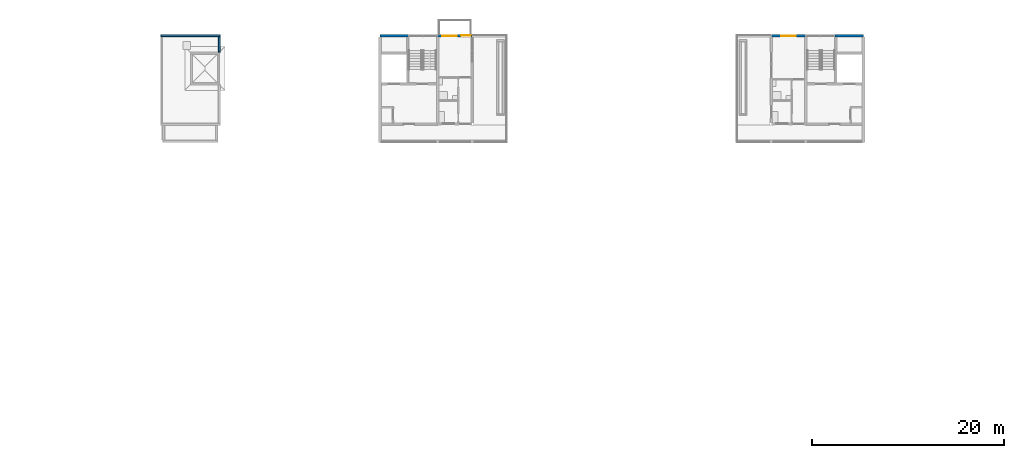
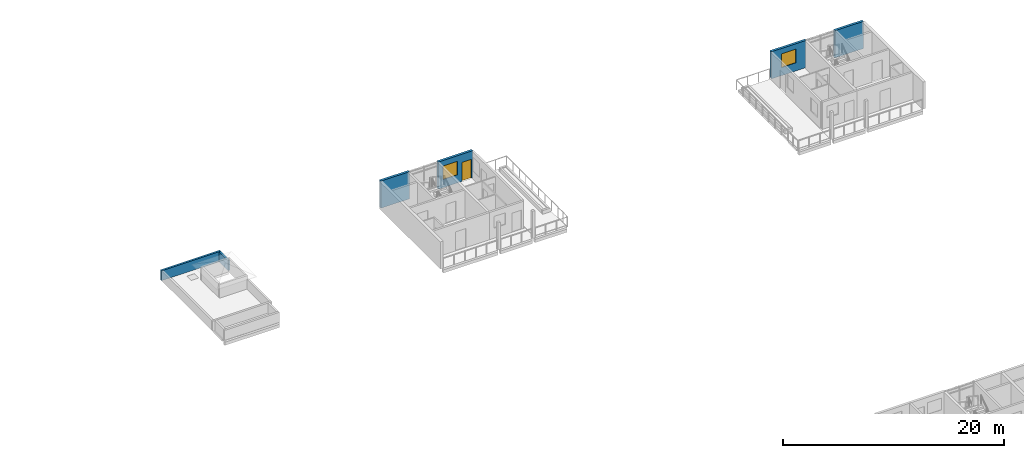
# One storey, part 40 of 64: 6 walls, 2 windows, 1 door, 3 openings.
"""IFC4 building model written with IfcOpenShell, lengths in metres."""

from ifc_helpers import new_model, si_unit, direction, frame, frame_2d, origin, place, context, subcontext, project, spatial, rectangle, extrude, material, layer, layer_set, type_object, element, fill, save


model = new_model("IFC4")

# Units and contexts
model_context = context("Model", 3, precision=1e-05, world=origin(), true_north=direction((0.0, 1.0)))
body_context = subcontext(model_context, "Body", "Model", "MODEL_VIEW")
ifc_project = project(units=[si_unit("LENGTHUNIT", "METRE"), si_unit("AREAUNIT", "SQUARE_METRE"), si_unit("VOLUMEUNIT", "CUBIC_METRE"), si_unit("PLANEANGLEUNIT", "RADIAN"), si_unit("MASSUNIT", "GRAM", prefix="KILO")], contexts=[model_context])

# Site, building, storey
site_placement = place(None, origin())
site = spatial("IfcSite", under=ifc_project, at=site_placement, CompositionType="ELEMENT")
building_placement = place(site_placement, origin())
building = spatial("IfcBuilding", under=site, at=building_placement, Name="Ridgestep Commons", CompositionType="ELEMENT")
storey_placement = place(building_placement, frame((0.0, 0.0, 33.0)))
storey = spatial("IfcBuildingStorey", under=building, at=storey_placement, Name="L11", CompositionType="ELEMENT", Elevation=33.0)

# Wall
ifc_material_1 = material(Name="Precast concrete C40/50", Category="concrete")
ifc_layer_1 = layer(ifc_material_1, 0.25)
ifc_layer_set_1 = layer_set([ifc_layer_1], Name="North facade panel 250")
wall_type_1 = type_object("IfcWallType", Name="North facade panel 250", PredefinedType="SOLIDWALL", material=ifc_layer_set_1)
wall_1_placement = place(storey_placement, frame((180.39990234375, 77.125, 0.0), z_axis=(0.0, 0.0, 1.0), x_axis=(1.0, 0.0, 0.0)))
element("IfcWall", 1, at=wall_1_placement, inside=storey, type_object=wall_type_1, Name="North panel C3C L11", PredefinedType="SOLIDWALL", context=body_context, shape_type="SweptSolid", body=[
    extrude(rectangle(XDim=2.97509765625, YDim=0.25, at=frame_2d((1.487548828125, 0.0))), origin(), (0.0, 0.0, 1.0), 3.0),
])

# Wall, openings, door, window
wall_2_placement = place(storey_placement, frame((186.39990234375, 77.125, 0.0), z_axis=(0.0, 0.0, 1.0), x_axis=(1.0, 0.0, 0.0)))
wall_2 = element("IfcWall", 2, at=wall_2_placement, inside=storey, type_object=wall_type_1, Name="North panel C3T3 L11", PredefinedType="SOLIDWALL", context=body_context, shape_type="SweptSolid", body=[
    extrude(rectangle(XDim=3.60009765625, YDim=0.25, at=frame_2d((1.800048828125, 0.0))), origin(), (0.0, 0.0, 1.0), 3.0),
])
opening_1_placement = place(wall_2_placement, frame((0.487548828125, 0.0, 0.89990234375)))
opening_1 = element("IfcOpeningElement", 3, at=opening_1_placement, cuts=wall_2, Name="Opening W16", PredefinedType="OPENING", context=body_context, shape_type="SweptSolid", body=[
    extrude(rectangle(XDim=1.5, YDim=1.5, at=frame_2d((0.75, 0.75))), frame((0.0, 0.135009765625, 0.0), z_axis=(0.0, -1.0, 0.0), x_axis=(1.0, 0.0, 0.0)), (0.0, 0.0, 1.0), 0.27001953125),
])
opening_2_placement = place(wall_2_placement, frame((2.449951171875, 0.0, 0.0)))
opening_2 = element("IfcOpeningElement", 4, at=opening_2_placement, cuts=wall_2, Name="Opening C3-11a/6", PredefinedType="OPENING", context=body_context, shape_type="SweptSolid", body=[
    extrude(rectangle(XDim=1.0, YDim=2.10009765625, at=frame_2d((0.5, 1.050048828125))), frame((0.0, 0.135009765625, 0.0), z_axis=(0.0, -1.0, 0.0), x_axis=(1.0, 0.0, 0.0)), (0.0, 0.0, 1.0), 0.27001953125),
])
ifc_material_2 = material(Name="Aluminium and glass", Category="aluminium")
door_type = type_object("IfcDoorType", Name="Balcony door 1000 x 2100", OperationType="NOTDEFINED", PredefinedType="DOOR", material=ifc_material_2)
door_placement = place(opening_2_placement, origin())
door = element("IfcDoor", 5, at=door_placement, inside=storey, type_object=door_type, Name="Balcony door C3-11a/6", OperationType="SINGLE_SWING_LEFT", OverallHeight=2.10009765625, OverallWidth=1.0, PredefinedType="DOOR", context=body_context, shape_type="SweptSolid", body=[
    extrude(rectangle(XDim=1.0, YDim=2.10009765625, at=frame_2d((0.5, 1.050048828125))), frame((0.0, 0.02490234375, 0.0), z_axis=(0.0, -1.0, 0.0), x_axis=(1.0, 0.0, 0.0)), (0.0, 0.0, 1.0), 0.050048828125),
])
fill(opening_2, door)
ifc_material_3 = material(Name="Aluminium 6063-T6 and glass", Category="aluminium")
window_type = type_object("IfcWindowType", Name="Flat window 1500 x 1500", PartitioningType="DOUBLE_PANEL_VERTICAL", PredefinedType="WINDOW", material=ifc_material_3)
window_1_placement = place(opening_1_placement, origin())
window_1 = element("IfcWindow", 6, at=window_1_placement, inside=storey, type_object=window_type, Name="Window C3-11a 2", OverallHeight=1.5, OverallWidth=1.5, PartitioningType="SINGLE_PANEL", PredefinedType="WINDOW", context=body_context, shape_type="SweptSolid", body=[
    extrude(rectangle(XDim=1.5, YDim=1.5, at=frame_2d((0.75, 0.75))), frame((0.0, -0.02490234375, 0.0), z_axis=(0.0, -1.0, 0.0), x_axis=(1.0, 0.0, 0.0)), (0.0, 0.0, 1.0), 0.06005859375),
])
fill(opening_1, window_1)

# Wall, opening, window
wall_3_placement = place(storey_placement, frame((221.199951171875, 77.125, 0.0), z_axis=(0.0, 0.0, 1.0), x_axis=(1.0, 0.0, 0.0)))
wall_3 = element("IfcWall", 7, at=wall_3_placement, inside=storey, type_object=wall_type_1, Name="North panel C5T3 L11", PredefinedType="SOLIDWALL", context=body_context, shape_type="SweptSolid", body=[
    extrude(rectangle(XDim=3.60009765625, YDim=0.25, at=frame_2d((1.800048828125, 0.0))), origin(), (0.0, 0.0, 1.0), 3.0),
])
opening_3_placement = place(wall_3_placement, frame((1.03759765625, 0.0, 0.89990234375)))
opening_3 = element("IfcOpeningElement", 8, at=opening_3_placement, cuts=wall_3, Name="Opening W16", PredefinedType="OPENING", context=body_context, shape_type="SweptSolid", body=[
    extrude(rectangle(XDim=1.5, YDim=1.5, at=frame_2d((0.75, 0.75))), frame((0.0, 0.135009765625, 0.0), z_axis=(0.0, -1.0, 0.0), x_axis=(1.0, 0.0, 0.0)), (0.0, 0.0, 1.0), 0.27001953125),
])
window_2_placement = place(opening_3_placement, origin())
window_2 = element("IfcWindow", 9, at=window_2_placement, inside=storey, type_object=window_type, Name="Window C5-11a 2", OverallHeight=1.5, OverallWidth=1.5, PartitioningType="SINGLE_PANEL", PredefinedType="WINDOW", context=body_context, shape_type="SweptSolid", body=[
    extrude(rectangle(XDim=1.5, YDim=1.5, at=frame_2d((0.75, 0.75))), frame((0.0, -0.02490234375, 0.0), z_axis=(0.0, -1.0, 0.0), x_axis=(1.0, 0.0, 0.0)), (0.0, 0.0, 1.0), 0.06005859375),
])
fill(opening_3, window_2)

# Walls
wall_4_placement = place(storey_placement, frame((227.824951171875, 77.125, 0.0), z_axis=(0.0, 0.0, 1.0), x_axis=(1.0, 0.0, 0.0)))
element("IfcWall", 10, at=wall_4_placement, inside=storey, type_object=wall_type_1, Name="North panel C5C L11", PredefinedType="SOLIDWALL", context=body_context, shape_type="SweptSolid", body=[
    extrude(rectangle(XDim=2.97509765625, YDim=0.25, at=frame_2d((1.487548828125, 0.0))), origin(), (0.0, 0.0, 1.0), 3.0),
])
ifc_material_4 = material(Name="Precast concrete C40/50", Category="concrete")
ifc_layer_2 = layer(ifc_material_4, 0.199951171875)
ifc_layer_set_2 = layer_set([ifc_layer_2], Name="Parapet wall 200")
wall_type_2 = type_object("IfcWallType", Name="Parapet wall 200", PredefinedType="PARAPET", material=ifc_layer_set_2)
wall_5_placement = place(storey_placement, frame((157.5, 77.125, 0.0), z_axis=(0.0, 0.0, 1.0), x_axis=(1.0, 0.0, 0.0)))
element("IfcWall", 11, at=wall_5_placement, inside=storey, type_object=wall_type_2, Name="Parapet C1C north", PredefinedType="PARAPET", context=body_context, shape_type="SweptSolid", body=[
    extrude(rectangle(XDim=6.199951171875, YDim=0.199951171875, at=frame_2d((3.10009765625, 0.0))), origin(), (0.0, 0.0, 1.0), 1.10009765625),
])
wall_6_placement = place(storey_placement, frame((163.60009765625, 75.39990234375, 0.0), z_axis=(0.0, 0.0, 1.0), x_axis=(0.0, 1.0, 0.0)))
element("IfcWall", 12, at=wall_6_placement, inside=storey, type_object=wall_type_2, Name="Parapet C1C east", PredefinedType="PARAPET", context=body_context, shape_type="SweptSolid", body=[
    extrude(rectangle(XDim=1.625, YDim=0.199951171875, at=frame_2d((0.8125, 0.0))), origin(), (0.0, 0.0, 1.0), 1.10009765625),
])

save(model, "model.ifc")
